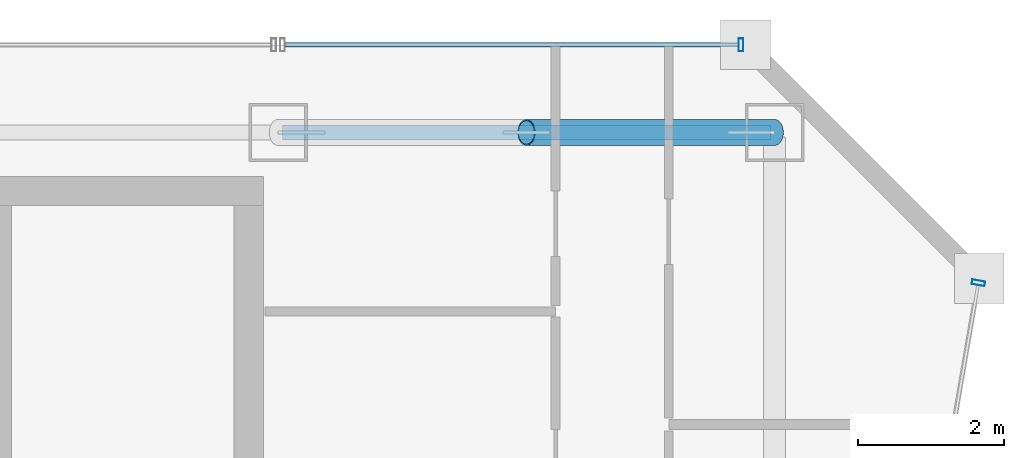
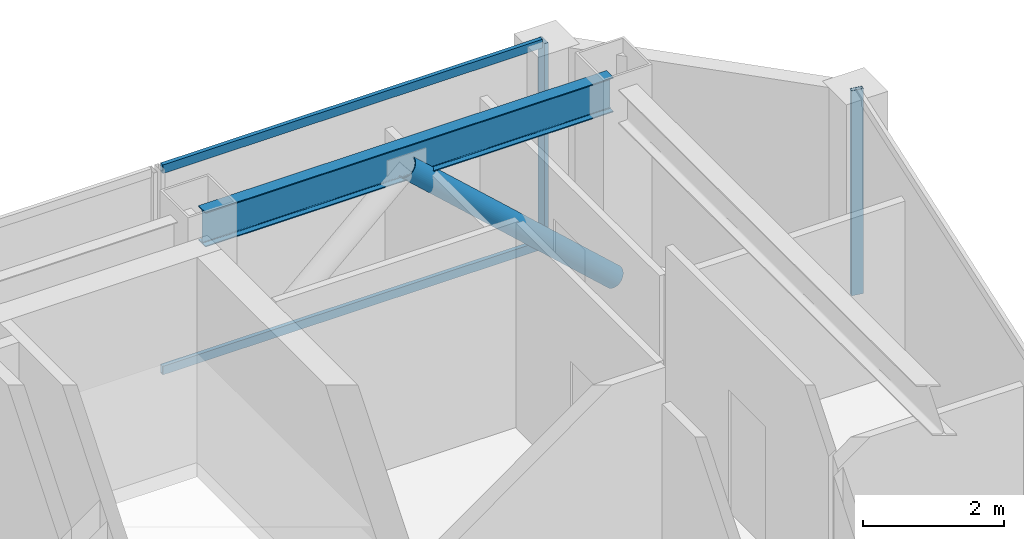
# One storey, part 23 of 32: 5 members, 1 beam, 2 elements without a shape of their own.
"""IFC4 building model written with IfcOpenShell, lengths in metres."""

from ifc_helpers import new_model, si_unit, direction, frame, origin, origin_2d, place, context, subcontext, project, spatial, hollow_rectangle, hollow_circle, i_section, extrude, material, material_profile, profile_set, type_object, element, aggregate, save


model = new_model("IFC4")

# Units and contexts
model_context = context("Model", 3, precision=1e-05, world=origin(), true_north=direction((0.0, 1.0)))
body_context = subcontext(model_context, "Body", "Model", "MODEL_VIEW")
ifc_project = project(units=[si_unit("LENGTHUNIT", "METRE"), si_unit("AREAUNIT", "SQUARE_METRE"), si_unit("VOLUMEUNIT", "CUBIC_METRE"), si_unit("PLANEANGLEUNIT", "RADIAN"), si_unit("MASSUNIT", "GRAM", prefix="KILO")], contexts=[model_context])

# Site, building, storey
site_placement = place(None, origin())
site = spatial("IfcSite", under=ifc_project, at=site_placement, CompositionType="ELEMENT")
building_placement = place(site_placement, origin())
building = spatial("IfcBuilding", under=site, at=building_placement, Name="Saevonmaru Cultural Tower", CompositionType="ELEMENT")
storey_placement = place(building_placement, frame((0.0, 0.0, 242.0)))
storey = spatial("IfcBuildingStorey", under=building, at=storey_placement, Name="L56", CompositionType="ELEMENT", Elevation=242.0)

# Beam
ifc_material_1 = material(Name="Steel SM355", Category="steel")
ifc_material_profile_1 = material_profile(ifc_material_1, i_section(OverallWidth=0.199951171875, OverallDepth=0.60009765625, WebThickness=0.010986328125, FlangeThickness=0.01708984375, FilletRadius=0.02197265625, at=origin_2d()), Name="H-600x200x11x17")
ifc_profile_set_1 = profile_set([ifc_material_profile_1], Name="Steel SM355")
beam_type = type_object("IfcBeamType", Name="BM-SP-H600", PredefinedType="SPANDREL", material=ifc_profile_set_1)
beam_placement = place(storey_placement, frame((46.4599609375, 54.800048828125, 3.25), z_axis=(1.0, 0.0, 0.0), x_axis=(0.0, 1.0, 0.0)))
element("IfcBeam", 1, at=beam_placement, inside=storey, type_object=beam_type, Name="L56 North Spine Girder 5", PredefinedType="SPANDREL", context=body_context, shape_type="SweptSolid", body=[
    extrude(i_section(OverallWidth=0.199951171875, OverallDepth=0.60009765625, WebThickness=0.010986328125, FlangeThickness=0.01708984375, FilletRadius=0.02197265625, at=origin_2d()), origin(), (0.0, 0.0, 1.0), 6.679931640625),
])

# Member
ifc_material_profile_2 = material_profile(ifc_material_1, hollow_circle(Radius=0.177734375, WallThickness=0.01611328125, at=origin_2d()), Name="CHS-355.6x16")
ifc_profile_set_2 = profile_set([ifc_material_profile_2], Name="Steel SM355")
member_type_1 = type_object("IfcMemberType", Name="MB-PBR-CHS356", PredefinedType="BRACE", material=ifc_profile_set_2)
member_1_placement = place(storey_placement, frame((53.199951171875, 54.800048828125, 0.02001953125), z_axis=(-0.738935641579, 0.0, 0.673776014417), x_axis=(0.0, -1.0, 0.0)))
element("IfcMember", 2, at=member_1_placement, inside=storey, type_object=member_type_1, Name="L56 Perimeter Braced-Tube Diagonal EN2", PredefinedType="BRACE", context=body_context, shape_type="SweptSolid", body=[
    extrude(hollow_circle(Radius=0.177734375, WallThickness=0.01611328125, at=origin_2d()), origin(), (0.0, 0.0, 1.0), 4.60107421875),
])

# Curtain wall, member
ifc_material_2 = material(Name="Satin Bronze Anodised Aluminium", Category="aluminium")
curtain_wall_type = type_object("IfcCurtainWallType", Name="CW-TYP-B", PredefinedType="NOTDEFINED", material=ifc_material_2)
curtain_wall_1_placement = place(storey_placement, origin())
curtain_wall_1 = element("IfcCurtainWall", 3, at=curtain_wall_1_placement, inside=storey, type_object=curtain_wall_type, Name="L56 Unitised Curtain Wall E8", PredefinedType="NOTDEFINED")
ifc_material_profile_3 = material_profile(ifc_material_2, hollow_rectangle(XDim=0.06494140625, YDim=0.179931640625, WallThickness=0.00390625, at=origin_2d()), Name="ALU-MULL-180x65x4")
ifc_profile_set_3 = profile_set([ifc_material_profile_3], Name="Satin Bronze Anodised Aluminium")
member_type_2 = type_object("IfcMemberType", Name="ML-CW-180x65", PredefinedType="MULLION", material=ifc_profile_set_3)
member_2_placement = place(storey_placement, frame((55.98974609375, 52.740966796875, 0.0), z_axis=(0.0, 0.0, 1.0), x_axis=(0.170790369887, 0.985307388359, 0.0)))
member_2 = element("IfcMember", 4, at=member_2_placement, type_object=member_type_2, Name="CW-TW-L56-E8 mullion 4", PredefinedType="MULLION", context=body_context, shape_type="SweptSolid", body=[
    extrude(hollow_rectangle(XDim=0.06494140625, YDim=0.179931640625, WallThickness=0.00390625, at=origin_2d()), origin(), (0.0, 0.0, 1.0), 3.550048828125),
])
aggregate(curtain_wall_1, [member_2])

# Curtain wall, members
curtain_wall_2_placement = place(storey_placement, origin())
curtain_wall_2 = element("IfcCurtainWall", 5, at=curtain_wall_2_placement, inside=storey, type_object=curtain_wall_type, Name="L56 East Braced Bay Spandrel Curtain Wall E10A", PredefinedType="NOTDEFINED")
member_3_placement = place(storey_placement, frame((52.739990234375, 56.0, 0.0), z_axis=(0.0, 0.0, 1.0), x_axis=(-1.0, 0.0, 0.0)))
member_3 = element("IfcMember", 6, at=member_3_placement, type_object=member_type_2, Name="CW-TW-L56-E10A mullion 1", PredefinedType="MULLION", context=body_context, shape_type="SweptSolid", body=[
    extrude(hollow_rectangle(XDim=0.06494140625, YDim=0.179931640625, WallThickness=0.00390625, at=origin_2d()), origin(), (0.0, 0.0, 1.0), 3.550048828125),
])
ifc_material_profile_4 = material_profile(ifc_material_2, hollow_rectangle(XDim=0.06494140625, YDim=0.14990234375, WallThickness=0.00390625, at=origin_2d()), Name="ALU-TRAN-150x65x4")
ifc_profile_set_4 = profile_set([ifc_material_profile_4], Name="Satin Bronze Anodised Aluminium")
member_type_3 = type_object("IfcMemberType", Name="TR-CW-150x65", PredefinedType="USERDEFINED", material=ifc_profile_set_4)
member_4_placement = place(storey_placement, frame((52.70751953125, 56.0, 0.032470703125), z_axis=(-1.0, 0.0, 0.0), x_axis=(0.0, -1.0, 0.0)))
member_4 = element("IfcMember", 7, at=member_4_placement, type_object=member_type_3, Name="CW-TW-L56-E10A transom 1.1", ObjectType="TRANSOM", PredefinedType="USERDEFINED", context=body_context, shape_type="SweptSolid", body=[
    extrude(hollow_rectangle(XDim=0.06494140625, YDim=0.14990234375, WallThickness=0.00390625, at=origin_2d()), origin(), (0.0, 0.0, 1.0), 6.215087890625),
])
member_5_placement = place(storey_placement, frame((52.70751953125, 56.0, 3.517578125), z_axis=(-1.0, 0.0, 0.0), x_axis=(0.0, -1.0, 0.0)))
member_5 = element("IfcMember", 8, at=member_5_placement, type_object=member_type_3, Name="CW-TW-L56-E10A transom 1.2", ObjectType="TRANSOM", PredefinedType="USERDEFINED", context=body_context, shape_type="SweptSolid", body=[
    extrude(hollow_rectangle(XDim=0.06494140625, YDim=0.14990234375, WallThickness=0.00390625, at=origin_2d()), origin(), (0.0, 0.0, 1.0), 6.215087890625),
])
aggregate(curtain_wall_2, [member_3, member_4, member_5])

save(model, "model.ifc")
